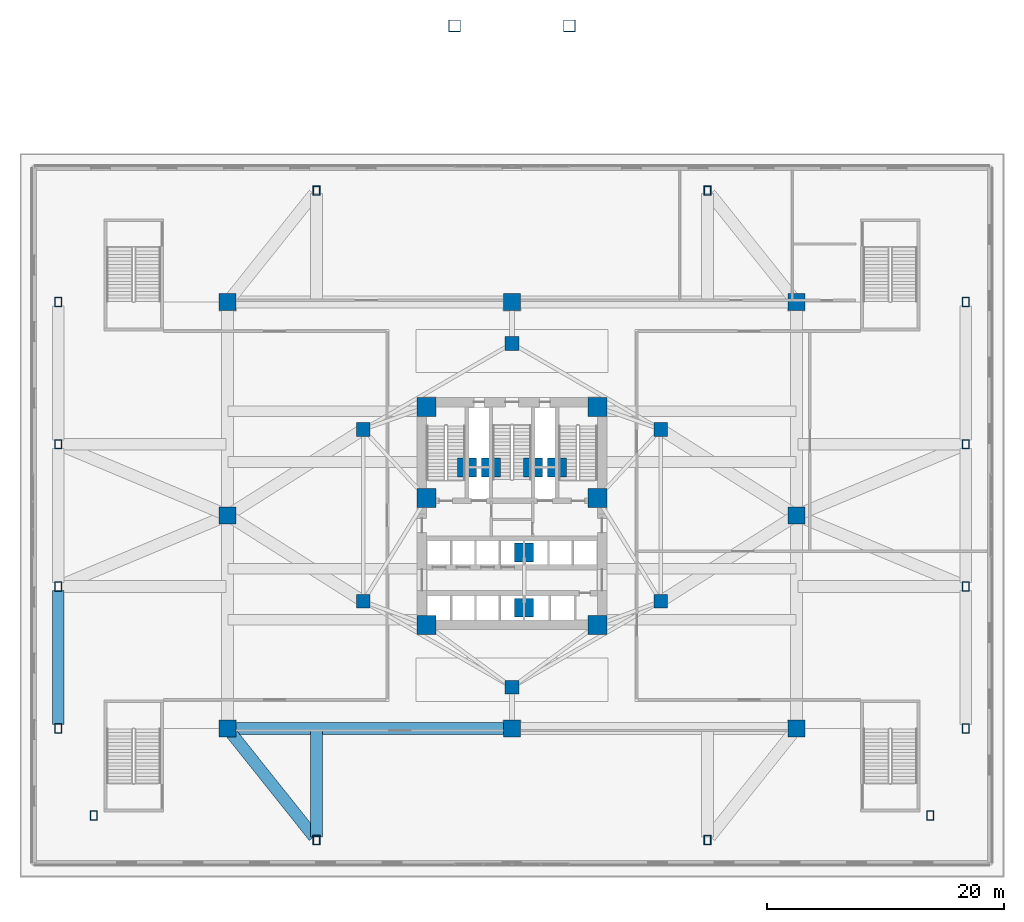
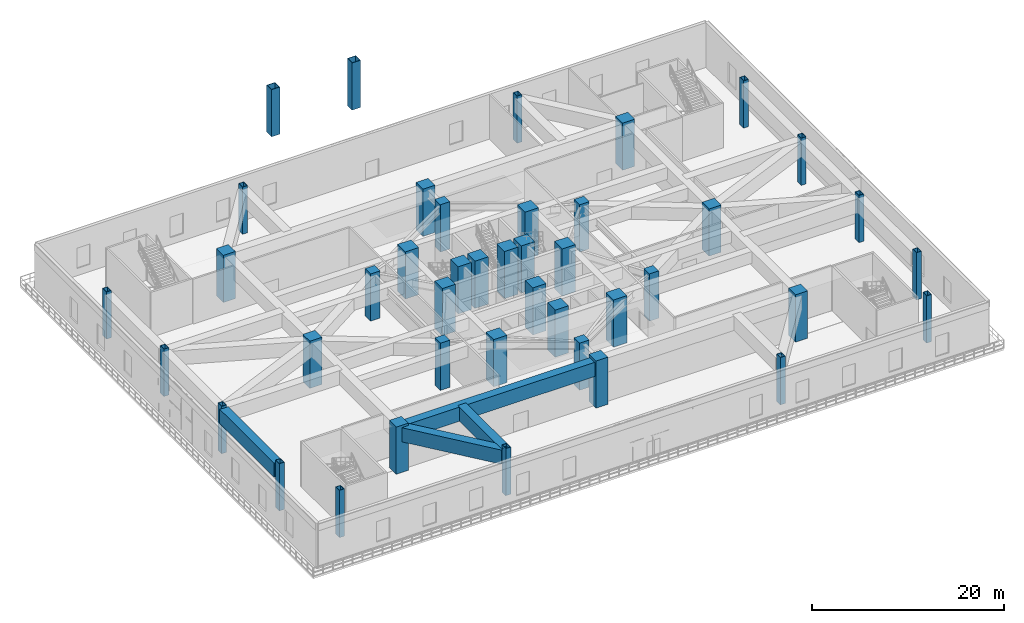
# One storey, part 1 of 25: 42 columns, 4 beams.
"""IFC4 building model written with IfcOpenShell, lengths in metres."""

from ifc_helpers import new_model, si_unit, direction, frame, origin, origin_2d, place, context, subcontext, project, spatial, rectangle, hollow_rectangle, extrude, material, material_profile, profile_set, type_object, element, save


model = new_model("IFC4")

# Units and contexts
model_context = context("Model", 3, precision=1e-05, world=origin(), true_north=direction((0.0, 1.0)))
body_context = subcontext(model_context, "Body", "Model", "MODEL_VIEW")
ifc_project = project(units=[si_unit("LENGTHUNIT", "METRE"), si_unit("AREAUNIT", "SQUARE_METRE"), si_unit("VOLUMEUNIT", "CUBIC_METRE"), si_unit("PLANEANGLEUNIT", "RADIAN"), si_unit("MASSUNIT", "GRAM", prefix="KILO")], contexts=[model_context])

# Site, building, storey
site_placement = place(None, origin())
site = spatial("IfcSite", under=ifc_project, at=site_placement, CompositionType="ELEMENT")
building_placement = place(site_placement, origin())
building = spatial("IfcBuilding", under=site, at=building_placement, Name="Apsidion Concourse Tower", CompositionType="ELEMENT")
storey_placement = place(building_placement, frame((0.0, 0.0, 11.5)))
storey = spatial("IfcBuildingStorey", under=building, at=storey_placement, Name="L02", CompositionType="ELEMENT", Elevation=11.5)

# Columns
ifc_material_1 = material(Name="Structural steel ASTM A572 Grade 50", Category="steel")
ifc_material_profile_1 = material_profile(ifc_material_1, hollow_rectangle(XDim=1.0, YDim=1.0, WallThickness=0.06005859375, at=origin_2d()), Name="BOX1000X1000X60")
ifc_profile_set_1 = profile_set([ifc_material_profile_1], Name="Structural steel ASTM A572 Grade 50")
column_type_1 = type_object("IfcColumnType", Name="COL-BOX-1000", PredefinedType="COLUMN", material=ifc_profile_set_1)
for number, where, z_axis, x_axis, name in (
    (1, (-4.845703125, 41.306884765625, 0.0), (0.0, 0.0, 1.0), (1.0, 0.0, 0.0), "L02 North Forecourt Prow Colonnade Column PRW-W"),
    (2, (4.845703125, 41.306884765625, 0.0), (0.0, 0.0, 1.0), (1.0, 0.0, 0.0), "L02 North Forecourt Prow Colonnade Column PRW-E"),
):
    element("IfcColumn", number, at=place(storey_placement, frame(where, z_axis=z_axis, x_axis=x_axis)), inside=storey, type_object=column_type_1, Name=name, PredefinedType="COLUMN", context=body_context, shape_type="SweptSolid", body=[
        extrude(hollow_rectangle(XDim=1.0, YDim=1.0, WallThickness=0.06005859375, at=origin_2d()), origin(), (0.0, 0.0, 1.0), 6.0),
    ])
ifc_material_profile_2 = material_profile(ifc_material_1, hollow_rectangle(XDim=0.60009765625, YDim=0.800048828125, WallThickness=0.050048828125, at=origin_2d()), Name="BOX800X600X50")
ifc_profile_set_2 = profile_set([ifc_material_profile_2], Name="Structural steel ASTM A572 Grade 50")
column_type_2 = type_object("IfcColumnType", Name="COL-BOX-800", PredefinedType="COLUMN", material=ifc_profile_set_2)
for number, where, z_axis, x_axis, name in (
    (3, (-38.300048828125, -18.0, 0.0), (0.0, 0.0, 1.0), (1.0, 0.0, 0.0), "L02 Podium Perimeter Column PC01"),
    (4, (-38.300048828125, -6.0, 0.0), (0.0, 0.0, 1.0), (1.0, 0.0, 0.0), "L02 Podium Perimeter Column PC02"),
    (5, (-38.300048828125, 6.0, 0.0), (0.0, 0.0, 1.0), (1.0, 0.0, 0.0), "L02 Podium Perimeter Column PC03"),
    (6, (-38.300048828125, 18.0, 0.0), (0.0, 0.0, 1.0), (1.0, 0.0, 0.0), "L02 Podium Perimeter Column PC04"),
    (7, (38.300048828125, -18.0, 0.0), (0.0, 0.0, 1.0), (1.0, 0.0, 0.0), "L02 Podium Perimeter Column PC05"),
    (8, (38.300048828125, -6.0, 0.0), (0.0, 0.0, 1.0), (1.0, 0.0, 0.0), "L02 Podium Perimeter Column PC06"),
    (9, (38.300048828125, 6.0, 0.0), (0.0, 0.0, 1.0), (1.0, 0.0, 0.0), "L02 Podium Perimeter Column PC07"),
    (10, (38.300048828125, 18.0, 0.0), (0.0, 0.0, 1.0), (1.0, 0.0, 0.0), "L02 Podium Perimeter Column PC08"),
    (11, (-16.5, -27.39990234375, 0.0), (0.0, 0.0, 1.0), (1.0, 0.0, 0.0), "L02 Podium Perimeter Column PC09"),
    (12, (16.5, -27.39990234375, 0.0), (0.0, 0.0, 1.0), (1.0, 0.0, 0.0), "L02 Podium Perimeter Column PC10"),
    (13, (-16.5, 27.39990234375, 0.0), (0.0, 0.0, 1.0), (1.0, 0.0, 0.0), "L02 Podium Perimeter Column PC11"),
    (14, (16.5, 27.39990234375, 0.0), (0.0, 0.0, 1.0), (1.0, 0.0, 0.0), "L02 Podium Perimeter Column PC12"),
    (15, (-35.300048828125, -25.320068359375, 0.0), (0.0, 0.0, 1.0), (1.0, 0.0, 0.0), "L02 Podium South Corner Column SWCR-W"),
    (16, (35.300048828125, -25.320068359375, 0.0), (0.0, 0.0, 1.0), (1.0, 0.0, 0.0), "L02 Podium South Corner Column SWCR-E"),
):
    element("IfcColumn", number, at=place(storey_placement, frame(where, z_axis=z_axis, x_axis=x_axis)), inside=storey, type_object=column_type_2, Name=name, PredefinedType="COLUMN", context=body_context, shape_type="SweptSolid", body=[
        extrude(hollow_rectangle(XDim=0.60009765625, YDim=0.800048828125, WallThickness=0.050048828125, at=origin_2d()), origin(), (0.0, 0.0, 1.0), 6.0),
    ])
ifc_material_2 = material(Name="Concrete C50/60", Category="concrete")
ifc_material_profile_3 = material_profile(ifc_material_2, rectangle(XDim=1.14990234375, YDim=1.14990234375, at=origin_2d()), Name="RC 1150x1150")
ifc_profile_set_3 = profile_set([ifc_material_profile_3], Name="Concrete C50/60")
column_type_3 = type_object("IfcColumnType", Name="COL-RC-1150", PredefinedType="COLUMN", material=ifc_profile_set_3)
for number, where, z_axis, x_axis, name in (
    (17, (-12.56005859375, -7.25, 0.0), (0.0, 0.0, 1.0), (1.0, 0.0, 0.0), "L02 Interior Spine Column IC1"),
    (18, (12.56005859375, -7.25, 0.0), (0.0, 0.0, 1.0), (1.0, 0.0, 0.0), "L02 Interior Spine Column IC2"),
    (19, (12.56005859375, 7.25, 0.0), (0.0, 0.0, 1.0), (1.0, 0.0, 0.0), "L02 Interior Spine Column IC3"),
    (20, (0.0, 14.5, 0.0), (0.0, 0.0, 1.0), (1.0, 0.0, 0.0), "L02 Interior Spine Column IC4"),
    (21, (-12.56005859375, 7.25, 0.0), (0.0, 0.0, 1.0), (1.0, 0.0, 0.0), "L02 Interior Spine Column IC5"),
    (22, (0.0, -14.5, 0.0), (0.0, 0.0, 1.0), (1.0, 0.0, 0.0), "L02 Interior Spine Column IC6"),
):
    element("IfcColumn", number, at=place(storey_placement, frame(where, z_axis=z_axis, x_axis=x_axis)), inside=storey, type_object=column_type_3, Name=name, PredefinedType="COLUMN", context=body_context, shape_type="SweptSolid", body=[
        extrude(rectangle(XDim=1.14990234375, YDim=1.14990234375, at=origin_2d()), origin(), (0.0, 0.0, 1.0), 6.0),
    ])
ifc_material_3 = material(Name="Concrete C60/75", Category="concrete")
ifc_material_profile_4 = material_profile(ifc_material_3, rectangle(XDim=1.449951171875, YDim=1.449951171875, at=origin_2d()), Name="RC 1450x1450")
ifc_profile_set_4 = profile_set([ifc_material_profile_4], Name="Concrete C60/75")
column_type_4 = type_object("IfcColumnType", Name="COL-RC-1450", PredefinedType="COLUMN", material=ifc_profile_set_4)
for number, where, z_axis, x_axis, name in (
    (23, (-24.0, -18.0, 0.0), (0.0, 0.0, 1.0), (1.0, 0.0, 0.0), "L02 Podium Mega-Column MC1"),
    (24, (24.0, -18.0, 0.0), (0.0, 0.0, 1.0), (1.0, 0.0, 0.0), "L02 Podium Mega-Column MC2"),
    (25, (-24.0, 0.0, 0.0), (0.0, 0.0, 1.0), (1.0, 0.0, 0.0), "L02 Podium Mega-Column MC3"),
    (26, (24.0, 0.0, 0.0), (0.0, 0.0, 1.0), (1.0, 0.0, 0.0), "L02 Podium Mega-Column MC4"),
    (27, (-24.0, 18.0, 0.0), (0.0, 0.0, 1.0), (1.0, 0.0, 0.0), "L02 Podium Mega-Column MC5"),
    (28, (24.0, 18.0, 0.0), (0.0, 0.0, 1.0), (1.0, 0.0, 0.0), "L02 Podium Mega-Column MC6"),
    (29, (0.0, -18.0, 0.0), (0.0, 0.0, 1.0), (1.0, 0.0, 0.0), "L02 Podium Mega-Column MC7"),
    (30, (0.0, 18.0, 0.0), (0.0, 0.0, 1.0), (1.0, 0.0, 0.0), "L02 Podium Mega-Column MC8"),
):
    element("IfcColumn", number, at=place(storey_placement, frame(where, z_axis=z_axis, x_axis=x_axis)), inside=storey, type_object=column_type_4, Name=name, PredefinedType="COLUMN", context=body_context, shape_type="SweptSolid", body=[
        extrude(rectangle(XDim=1.449951171875, YDim=1.449951171875, at=origin_2d()), origin(), (0.0, 0.0, 1.0), 6.0),
    ])
ifc_material_profile_5 = material_profile(ifc_material_3, rectangle(XDim=1.60009765625, YDim=1.60009765625, at=origin_2d()), Name="RC 1600x1600")
ifc_profile_set_5 = profile_set([ifc_material_profile_5], Name="Concrete C60/75")
column_type_5 = type_object("IfcColumnType", Name="COL-RC-1600", PredefinedType="COLUMN", material=ifc_profile_set_5)
for number, where, z_axis, x_axis, name in (
    (31, (-7.199951171875, -9.25, 0.0), (0.0, 0.0, 1.0), (1.0, 0.0, 0.0), "L02 Core Super-Column SC1"),
    (32, (7.199951171875, -9.25, 0.0), (0.0, 0.0, 1.0), (1.0, 0.0, 0.0), "L02 Core Super-Column SC2"),
    (33, (7.199951171875, 1.449951171875, 0.0), (0.0, 0.0, 1.0), (1.0, 0.0, 0.0), "L02 Core Super-Column SC3"),
    (34, (7.199951171875, 9.14990234375, 0.0), (0.0, 0.0, 1.0), (1.0, 0.0, 0.0), "L02 Core Super-Column SC4"),
    (35, (-7.199951171875, 9.14990234375, 0.0), (0.0, 0.0, 1.0), (1.0, 0.0, 0.0), "L02 Core Super-Column SC5"),
    (36, (-7.199951171875, 1.449951171875, 0.0), (0.0, 0.0, 1.0), (1.0, 0.0, 0.0), "L02 Core Super-Column SC6"),
    (37, (-3.800048828125, 4.050048828125, 0.0), (0.0, 0.0, 1.0), (1.0, 0.0, 0.0), "L02 Core Super-Column CC1"),
    (38, (3.800048828125, 4.050048828125, 0.0), (0.0, 0.0, 1.0), (1.0, 0.0, 0.0), "L02 Core Super-Column CC2"),
    (39, (-1.77490234375, 4.050048828125, 0.0), (0.0, 0.0, 1.0), (1.0, 0.0, 0.0), "L02 Core Super-Column CC3"),
    (40, (1.77490234375, 4.050048828125, 0.0), (0.0, 0.0, 1.0), (1.0, 0.0, 0.0), "L02 Core Super-Column CC4"),
    (41, (1.02490234375, -3.14990234375, 0.0), (0.0, 0.0, 1.0), (1.0, 0.0, 0.0), "L02 Core Super-Column CC5"),
    (42, (1.02490234375, -7.800048828125, 0.0), (0.0, 0.0, 1.0), (1.0, 0.0, 0.0), "L02 Core Super-Column CC6"),
):
    element("IfcColumn", number, at=place(storey_placement, frame(where, z_axis=z_axis, x_axis=x_axis)), inside=storey, type_object=column_type_5, Name=name, PredefinedType="COLUMN", context=body_context, shape_type="SweptSolid", body=[
        extrude(rectangle(XDim=1.60009765625, YDim=1.60009765625, at=origin_2d()), origin(), (0.0, 0.0, 1.0), 6.0),
    ])

# Beams
ifc_material_profile_6 = material_profile(ifc_material_1, hollow_rectangle(XDim=1.0, YDim=1.800048828125, WallThickness=0.080078125, at=origin_2d()), Name="BOX1800X1000X80")
ifc_profile_set_6 = profile_set([ifc_material_profile_6], Name="Structural steel ASTM A572 Grade 50")
beam_type = type_object("IfcBeamType", Name="BM-TR-1800", PredefinedType="USERDEFINED", material=ifc_profile_set_6)
beam_1_placement = place(storey_placement, frame((-23.64990234375, -18.0, 4.800048828125), z_axis=(1.0, 0.0, 0.0), x_axis=(0.0, 1.0, 0.0)))
element("IfcBeam", 43, at=beam_1_placement, inside=storey, type_object=beam_type, Name="L02 Podium Transfer Collector Girder MC1-MC7", ObjectType="GIRDER", PredefinedType="USERDEFINED", context=body_context, shape_type="SweptSolid", body=[
    extrude(hollow_rectangle(XDim=1.0, YDim=1.800048828125, WallThickness=0.080078125, at=origin_2d()), origin(), (0.0, 0.0, 1.0), 23.2998046875),
])
beam_2_placement = place(storey_placement, frame((-16.5, -27.14990234375, 4.800048828125), z_axis=(0.0, 1.0, 0.0), x_axis=(-1.0, 0.0, 0.0)))
element("IfcBeam", 44, at=beam_2_placement, inside=storey, type_object=beam_type, Name="L02 Podium Radial Frame Girder PC09", ObjectType="GIRDER", PredefinedType="USERDEFINED", context=body_context, shape_type="SweptSolid", body=[
    extrude(hollow_rectangle(XDim=1.0, YDim=1.800048828125, WallThickness=0.080078125, at=origin_2d()), origin(), (0.0, 0.0, 1.0), 9.0),
])
beam_3_placement = place(storey_placement, frame((-16.71826171875, -27.12646484375, 4.800048828125), z_axis=(-0.623685030382, 0.781675753031, 0.0), x_axis=(-0.781675753031, -0.623685030382, 0.0)))
element("IfcBeam", 45, at=beam_3_placement, inside=storey, type_object=beam_type, Name="L02 Podium Diagonal Frame Tie PC09", ObjectType="GIRDER", PredefinedType="USERDEFINED", context=body_context, shape_type="SweptSolid", body=[
    extrude(hollow_rectangle(XDim=1.0, YDim=1.800048828125, WallThickness=0.080078125, at=origin_2d()), origin(), (0.0, 0.0, 1.0), 11.325439453125),
])
beam_4_placement = place(storey_placement, frame((-38.300048828125, -17.64990234375, 4.800048828125), z_axis=(0.0, 1.0, 0.0), x_axis=(-1.0, 0.0, 0.0)))
element("IfcBeam", 46, at=beam_4_placement, inside=storey, type_object=beam_type, Name="L02 Podium Spandrel Girder PC01-PC02", ObjectType="GIRDER", PredefinedType="USERDEFINED", context=body_context, shape_type="SweptSolid", body=[
    extrude(hollow_rectangle(XDim=1.0, YDim=1.800048828125, WallThickness=0.080078125, at=origin_2d()), origin(), (0.0, 0.0, 1.0), 11.2998046875),
])

save(model, "model.ifc")
